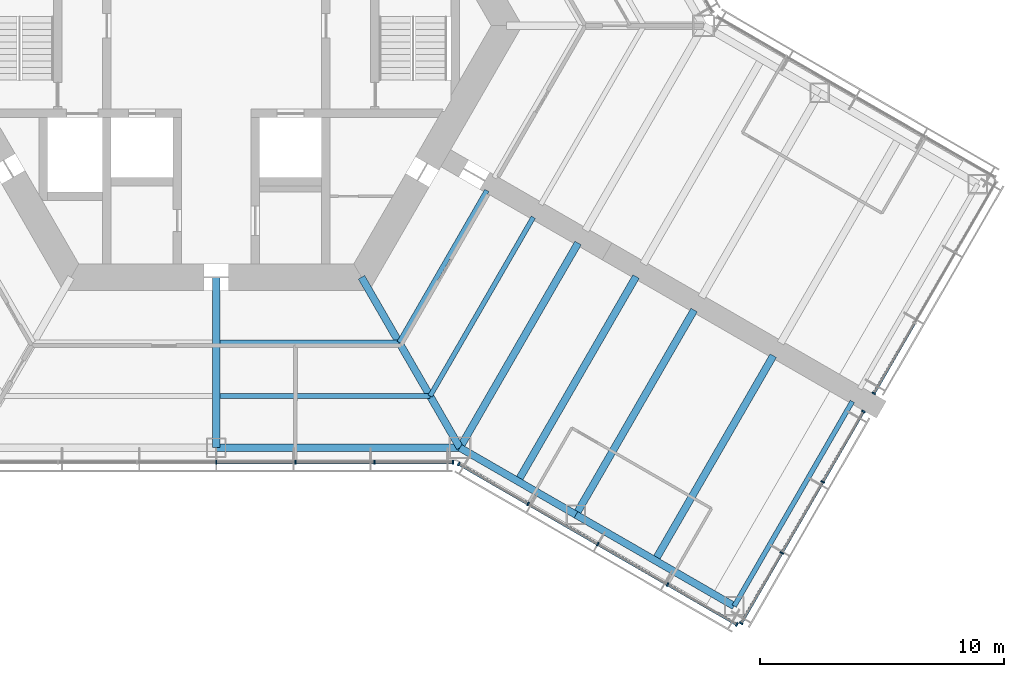
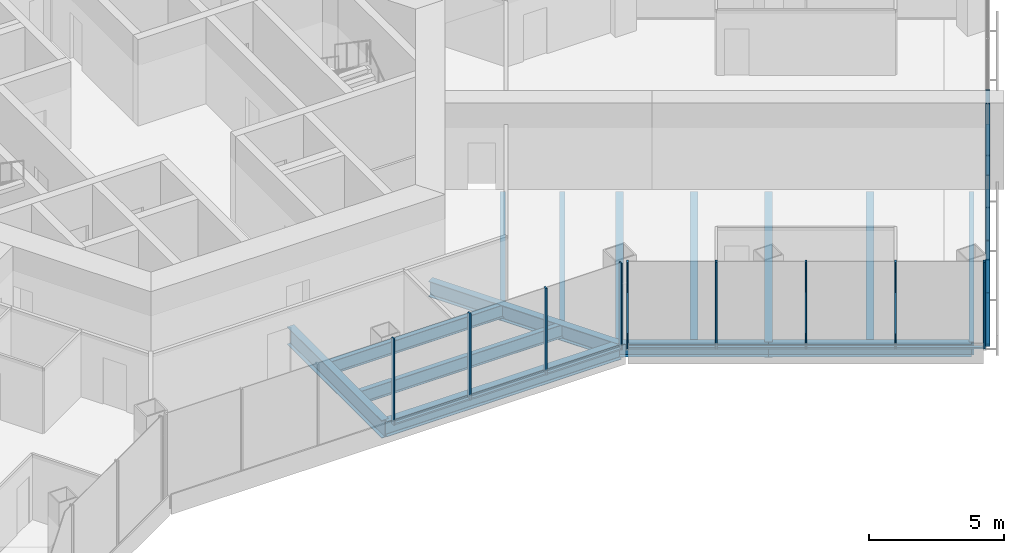
# One storey, part 5 of 18: 25 members, 14 beams, 4 elements without a shape of their own.
"""IFC4 building model written with IfcOpenShell, lengths in metres."""

from ifc_helpers import new_model, si_unit, direction, frame, origin, origin_2d, place, context, subcontext, project, spatial, rectangle, i_section, extrude, material, material_profile, profile_set, type_object, element, aggregate, save


model = new_model("IFC4")

# Units and contexts
model_context = context("Model", 3, precision=1e-05, world=origin(), true_north=direction((0.0, 1.0)))
body_context = subcontext(model_context, "Body", "Model", "MODEL_VIEW")
ifc_project = project(units=[si_unit("LENGTHUNIT", "METRE"), si_unit("AREAUNIT", "SQUARE_METRE"), si_unit("VOLUMEUNIT", "CUBIC_METRE"), si_unit("PLANEANGLEUNIT", "RADIAN"), si_unit("MASSUNIT", "GRAM", prefix="KILO")], contexts=[model_context])

# Site, building, storey
site_placement = place(None, origin())
site = spatial("IfcSite", under=ifc_project, at=site_placement, CompositionType="ELEMENT")
building_placement = place(site_placement, origin())
building = spatial("IfcBuilding", under=site, at=building_placement, Name="Kasaneha Research Tower", CompositionType="ELEMENT")
storey_placement = place(building_placement, frame((0.0, 0.0, 65.10009765625)))
storey = spatial("IfcBuildingStorey", under=building, at=storey_placement, Name="L16", CompositionType="ELEMENT", Elevation=65.10009765625)

# Beams
ifc_material_1 = material(Name="Steel SN490B", Category="steel")
ifc_material_profile_1 = material_profile(ifc_material_1, i_section(OverallWidth=0.199951171875, OverallDepth=0.60009765625, WebThickness=0.010986328125, FlangeThickness=0.01708984375, FilletRadius=0.012939453125, at=origin_2d()), Name="H-600x200x11x17")
ifc_profile_set_1 = profile_set([ifc_material_profile_1], Name="Steel SN490B")
beam_type_1 = type_object("IfcBeamType", Name="B1-3 secondary beam H-600x200x11x17", PredefinedType="JOIST", material=ifc_profile_set_1)
beam_1_placement = place(storey_placement, frame((7.505615234375, -13.0, -0.4501953125), z_axis=(-1.0, 0.0, 0.0), x_axis=(0.0, -1.0, 0.0)))
element("IfcBeam", 1, at=beam_1_placement, inside=storey, type_object=beam_type_1, Name="Secondary beam RS270R1 L16", PredefinedType="JOIST", context=body_context, shape_type="SweptSolid", body=[
    extrude(i_section(OverallWidth=0.199951171875, OverallDepth=0.60009765625, WebThickness=0.010986328125, FlangeThickness=0.01708984375, FilletRadius=0.012939453125, at=origin_2d()), origin(), (0.0, 0.0, 1.0), 7.355712890625),
])
beam_2_placement = place(storey_placement, frame((8.775634765625, -15.199951171875, -0.4501953125), z_axis=(-1.0, 0.0, 0.0), x_axis=(0.0, -1.0, 0.0)))
element("IfcBeam", 2, at=beam_2_placement, inside=storey, type_object=beam_type_1, Name="Secondary beam RS270R2 L16", PredefinedType="JOIST", context=body_context, shape_type="SweptSolid", body=[
    extrude(i_section(OverallWidth=0.199951171875, OverallDepth=0.60009765625, WebThickness=0.010986328125, FlangeThickness=0.01708984375, FilletRadius=0.012939453125, at=origin_2d()), origin(), (0.0, 0.0, 1.0), 8.625732421875),
])
beam_3_placement = place(storey_placement, frame((7.505615234375, -13.0, -0.4501953125), z_axis=(0.499998147991, 0.86602647304, 0.0), x_axis=(-0.86602647304, 0.499998147991, 0.0)))
element("IfcBeam", 3, at=beam_3_placement, inside=storey, type_object=beam_type_1, Name="Secondary beam RS330L1 L16", PredefinedType="JOIST", context=body_context, shape_type="SweptSolid", body=[
    extrude(i_section(OverallWidth=0.199951171875, OverallDepth=0.60009765625, WebThickness=0.010986328125, FlangeThickness=0.01708984375, FilletRadius=0.012939453125, at=origin_2d()), origin(), (0.0, 0.0, 1.0), 7.20556640625),
])
beam_4_placement = place(storey_placement, frame((8.775634765625, -15.199951171875, -0.4501953125), z_axis=(0.500020829043, 0.866013377797, 0.0), x_axis=(-0.866013377797, 0.500020829043, 0.0)))
element("IfcBeam", 4, at=beam_4_placement, inside=storey, type_object=beam_type_1, Name="Secondary beam RS330L2 L16", PredefinedType="JOIST", context=body_context, shape_type="SweptSolid", body=[
    extrude(i_section(OverallWidth=0.199951171875, OverallDepth=0.60009765625, WebThickness=0.010986328125, FlangeThickness=0.01708984375, FilletRadius=0.012939453125, at=origin_2d()), origin(), (0.0, 0.0, 1.0), 8.475830078125),
])
ifc_material_2 = material(Name="Steel SN490B", Category="steel")
ifc_material_profile_2 = material_profile(ifc_material_2, i_section(OverallWidth=0.300048828125, OverallDepth=0.58203125, WebThickness=0.011962890625, FlangeThickness=0.01708984375, FilletRadius=0.012939453125, at=origin_2d()), Name="H-582x300x12x17")
ifc_profile_set_2 = profile_set([ifc_material_profile_2], Name="Steel SN490B")
beam_type_2 = type_object("IfcBeamType", Name="B2-3 secondary beam H-582x300x12x17", PredefinedType="JOIST", material=ifc_profile_set_2)
for number, where, z_axis, x_axis, name in (
    (5, (12.381591796875, -18.695556640625, -0.441162109375), (0.500010041276, 0.866019606374, 0.0), (-0.866019606374, 0.500010041276, 0.0), "Secondary beam WBCP1 L16"),
    (6, (18.0107421875, -21.945556640625, -0.441162109375), (0.500010041276, 0.866019606374, 0.0), (-0.866019606374, 0.500010041276, 0.0), "Secondary beam WBCP2 L16"),
):
    element("IfcBeam", number, at=place(storey_placement, frame(where, z_axis=z_axis, x_axis=x_axis)), inside=storey, type_object=beam_type_2, Name=name, PredefinedType="JOIST", context=body_context, shape_type="SweptSolid", body=[
        extrude(i_section(OverallWidth=0.300048828125, OverallDepth=0.58203125, WebThickness=0.011962890625, FlangeThickness=0.01708984375, FilletRadius=0.012939453125, at=origin_2d()), origin(), (0.0, 0.0, 1.0), 9.699951171875),
    ])

# Curtain wall, members
ifc_material_3 = material(Name="Glass and aluminium", Category="aluminium")
curtain_wall_type = type_object("IfcCurtainWallType", Name="Low-rise office curtain wall", PredefinedType="USERDEFINED", material=ifc_material_3)
curtain_wall_1_placement = place(storey_placement, origin())
curtain_wall_1 = element("IfcCurtainWall", 7, at=curtain_wall_1_placement, inside=storey, type_object=curtain_wall_type, Name="CW-O1 L16 run 02a", ObjectType="UNITISED CURTAIN WALL", PredefinedType="USERDEFINED")
ifc_material_4 = material(Name="Aluminium 6063-T6", Category="aluminium")
ifc_material_profile_3 = material_profile(ifc_material_4, rectangle(XDim=0.06005859375, YDim=0.159912109375, at=origin_2d()), Name="CW-O1 mullion 60x160")
ifc_profile_set_3 = profile_set([ifc_material_profile_3], Name="Aluminium 6063-T6")
member_type_1 = type_object("IfcMemberType", Name="CW-O1 mullion", PredefinedType="MULLION", material=ifc_profile_set_3)
member_1_placement = place(storey_placement, frame((0.0, -17.92041015625, 0.0), z_axis=(0.0, 0.0, 1.0), x_axis=(1.0, 0.0, 0.0)))
member_1 = element("IfcMember", 8, at=member_1_placement, type_object=member_type_1, Name="CW-O1 mullion 4", PredefinedType="MULLION", context=body_context, shape_type="SweptSolid", body=[
    extrude(rectangle(XDim=0.06005859375, YDim=0.159912109375, at=origin_2d()), origin(), (0.0, 0.0, 1.0), 3.89990234375),
])
member_2_placement = place(storey_placement, frame((3.246337890625, -17.92041015625, 0.0), z_axis=(0.0, 0.0, 1.0), x_axis=(1.0, 0.0, 0.0)))
member_2 = element("IfcMember", 9, at=member_2_placement, type_object=member_type_1, Name="CW-O1 mullion 5", PredefinedType="MULLION", context=body_context, shape_type="SweptSolid", body=[
    extrude(rectangle(XDim=0.06005859375, YDim=0.159912109375, at=origin_2d()), origin(), (0.0, 0.0, 1.0), 3.89990234375),
])
member_3_placement = place(storey_placement, frame((6.492919921875, -17.92041015625, 0.0), z_axis=(0.0, 0.0, 1.0), x_axis=(1.0, 0.0, 0.0)))
member_3 = element("IfcMember", 10, at=member_3_placement, type_object=member_type_1, Name="CW-O1 mullion 6", PredefinedType="MULLION", context=body_context, shape_type="SweptSolid", body=[
    extrude(rectangle(XDim=0.06005859375, YDim=0.159912109375, at=origin_2d()), origin(), (0.0, 0.0, 1.0), 3.89990234375),
])
member_4_placement = place(storey_placement, frame((9.709228515625, -17.92041015625, 0.0), z_axis=(0.0, 0.0, 1.0), x_axis=(1.0, 0.0, 0.0)))
member_4 = element("IfcMember", 11, at=member_4_placement, type_object=member_type_1, Name="CW-O1 mullion 7", PredefinedType="MULLION", context=body_context, shape_type="SweptSolid", body=[
    extrude(rectangle(XDim=0.06005859375, YDim=0.159912109375, at=origin_2d()), origin(), (0.0, 0.0, 1.0), 3.89990234375),
])

curtain_wall_2_placement = place(storey_placement, origin())
curtain_wall_2 = element("IfcCurtainWall", 12, at=curtain_wall_2_placement, inside=storey, type_object=curtain_wall_type, Name="CW-O1 L16 run 03a", ObjectType="UNITISED CURTAIN WALL", PredefinedType="USERDEFINED")
member_5_placement = place(storey_placement, frame((9.951904296875, -17.985595703125, 0.0), z_axis=(0.0, 0.0, 1.0), x_axis=(0.866025411464, -0.499999986699, 0.0)))
member_5 = element("IfcMember", 13, at=member_5_placement, type_object=member_type_1, Name="CW-O1 mullion 1", PredefinedType="MULLION", context=body_context, shape_type="SweptSolid", body=[
    extrude(rectangle(XDim=0.06005859375, YDim=0.159912109375, at=origin_2d()), origin(), (0.0, 0.0, 1.0), 3.89990234375),
])
member_6_placement = place(storey_placement, frame((12.792236328125, -19.62548828125, 0.0), z_axis=(0.0, 0.0, 1.0), x_axis=(0.866025411464, -0.499999986699, 0.0)))
member_6 = element("IfcMember", 14, at=member_6_placement, type_object=member_type_1, Name="CW-O1 mullion 2", PredefinedType="MULLION", context=body_context, shape_type="SweptSolid", body=[
    extrude(rectangle(XDim=0.06005859375, YDim=0.159912109375, at=origin_2d()), origin(), (0.0, 0.0, 1.0), 3.89990234375),
])
member_7_placement = place(storey_placement, frame((15.65869140625, -21.2802734375, 0.0), z_axis=(0.0, 0.0, 1.0), x_axis=(0.866025411464, -0.499999986699, 0.0)))
member_7 = element("IfcMember", 15, at=member_7_placement, type_object=member_type_1, Name="CW-O1 mullion 3", PredefinedType="MULLION", context=body_context, shape_type="SweptSolid", body=[
    extrude(rectangle(XDim=0.06005859375, YDim=0.159912109375, at=origin_2d()), origin(), (0.0, 0.0, 1.0), 3.89990234375),
])
member_8_placement = place(storey_placement, frame((18.52490234375, -22.935302734375, 0.0), z_axis=(0.0, 0.0, 1.0), x_axis=(0.866025411464, -0.499999986699, 0.0)))
member_8 = element("IfcMember", 16, at=member_8_placement, type_object=member_type_1, Name="CW-O1 mullion 4", PredefinedType="MULLION", context=body_context, shape_type="SweptSolid", body=[
    extrude(rectangle(XDim=0.06005859375, YDim=0.159912109375, at=origin_2d()), origin(), (0.0, 0.0, 1.0), 3.89990234375),
])
member_9_placement = place(storey_placement, frame((21.365478515625, -24.5751953125, 0.0), z_axis=(0.0, 0.0, 1.0), x_axis=(0.866025411464, -0.499999986699, 0.0)))
member_9 = element("IfcMember", 17, at=member_9_placement, type_object=member_type_1, Name="CW-O1 mullion 5", PredefinedType="MULLION", context=body_context, shape_type="SweptSolid", body=[
    extrude(rectangle(XDim=0.06005859375, YDim=0.159912109375, at=origin_2d()), origin(), (0.0, 0.0, 1.0), 3.89990234375),
])

curtain_wall_3_placement = place(storey_placement, origin())
curtain_wall_3 = element("IfcCurtainWall", 18, at=curtain_wall_3_placement, inside=storey, type_object=curtain_wall_type, Name="CW-O1 L16 run 04a", ObjectType="UNITISED CURTAIN WALL", PredefinedType="USERDEFINED")
member_10_placement = place(storey_placement, frame((21.54296875, -24.527587890625, 0.0), z_axis=(0.0, 0.0, 1.0), x_axis=(0.500000011442, 0.866025397178, 0.0)))
member_10 = element("IfcMember", 19, at=member_10_placement, type_object=member_type_1, Name="CW-O1 mullion 1", PredefinedType="MULLION", context=body_context, shape_type="SweptSolid", body=[
    extrude(rectangle(XDim=0.06005859375, YDim=0.159912109375, at=origin_2d()), origin(), (0.0, 0.0, 1.0), 3.89990234375),
])
member_11_placement = place(storey_placement, frame((23.211181640625, -21.637939453125, 0.0), z_axis=(0.0, 0.0, 1.0), x_axis=(0.500000011442, 0.866025397178, 0.0)))
member_11 = element("IfcMember", 20, at=member_11_placement, type_object=member_type_1, Name="CW-O1 mullion 2", PredefinedType="MULLION", context=body_context, shape_type="SweptSolid", body=[
    extrude(rectangle(XDim=0.06005859375, YDim=0.159912109375, at=origin_2d()), origin(), (0.0, 0.0, 1.0), 3.89990234375),
])
member_12_placement = place(storey_placement, frame((24.89453125, -18.72216796875, 0.0), z_axis=(0.0, 0.0, 1.0), x_axis=(0.500000011442, 0.866025397178, 0.0)))
member_12 = element("IfcMember", 21, at=member_12_placement, type_object=member_type_1, Name="CW-O1 mullion 3", PredefinedType="MULLION", context=body_context, shape_type="SweptSolid", body=[
    extrude(rectangle(XDim=0.06005859375, YDim=0.159912109375, at=origin_2d()), origin(), (0.0, 0.0, 1.0), 3.89990234375),
])
member_13_placement = place(storey_placement, frame((26.56298828125, -15.832763671875, 0.0), z_axis=(0.0, 0.0, 1.0), x_axis=(0.500000011442, 0.866025397178, 0.0)))
member_13 = element("IfcMember", 22, at=member_13_placement, type_object=member_type_1, Name="CW-O1 mullion 4", PredefinedType="MULLION", context=body_context, shape_type="SweptSolid", body=[
    extrude(rectangle(XDim=0.06005859375, YDim=0.159912109375, at=origin_2d()), origin(), (0.0, 0.0, 1.0), 3.89990234375),
])

# Curtain wall, member
curtain_wall_4_placement = place(storey_placement, origin())
curtain_wall_4 = element("IfcCurtainWall", 23, at=curtain_wall_4_placement, inside=storey, type_object=curtain_wall_type, Name="CW-O1 L16 run 05a", ObjectType="UNITISED CURTAIN WALL", PredefinedType="USERDEFINED")
member_14_placement = place(storey_placement, frame((26.992919921875, -15.087890625, 0.0), z_axis=(0.0, 0.0, 1.0), x_axis=(0.500000011442, 0.866025397178, 0.0)))
member_14 = element("IfcMember", 24, at=member_14_placement, type_object=member_type_1, Name="CW-O1 mullion 1", PredefinedType="MULLION", context=body_context, shape_type="SweptSolid", body=[
    extrude(rectangle(XDim=0.06005859375, YDim=0.159912109375, at=origin_2d()), origin(), (0.0, 0.0, 1.0), 3.89990234375),
])

# Member
ifc_material_5 = material(Name="Aluminium 6063-T6", Category="aluminium")
ifc_material_profile_4 = material_profile(ifc_material_5, rectangle(XDim=0.1201171875, YDim=0.06005859375, at=origin_2d()), Name="CW-O1 transom 120x60")
ifc_profile_set_4 = profile_set([ifc_material_profile_4], Name="Aluminium 6063-T6")
member_type_2 = type_object("IfcMemberType", Name="CW-O1 transom", PredefinedType="USERDEFINED", material=ifc_profile_set_4)
member_15_placement = place(storey_placement, frame((0.030029296875, -17.92041015625, 0.02978515625), z_axis=(1.0, 0.0, 0.0), x_axis=(0.0, 1.0, 0.0)))
member_15 = element("IfcMember", 25, at=member_15_placement, type_object=member_type_2, Name="CW-O1 transom 4", ObjectType="TRANSOM", PredefinedType="USERDEFINED", context=body_context, shape_type="SweptSolid", body=[
    extrude(rectangle(XDim=0.1201171875, YDim=0.06005859375, at=origin_2d()), origin(), (0.0, 0.0, 1.0), 3.186279296875),
])

member_16_placement = place(storey_placement, frame((3.2763671875, -17.92041015625, 0.02978515625), z_axis=(1.0, 0.0, 0.0), x_axis=(0.0, 1.0, 0.0)))
member_16 = element("IfcMember", 26, at=member_16_placement, type_object=member_type_2, Name="CW-O1 transom 5", ObjectType="TRANSOM", PredefinedType="USERDEFINED", context=body_context, shape_type="SweptSolid", body=[
    extrude(rectangle(XDim=0.1201171875, YDim=0.06005859375, at=origin_2d()), origin(), (0.0, 0.0, 1.0), 3.1865234375),
])

member_17_placement = place(storey_placement, frame((6.522705078125, -17.92041015625, 0.02978515625), z_axis=(1.0, 0.0, 0.0), x_axis=(0.0, 1.0, 0.0)))
member_17 = element("IfcMember", 27, at=member_17_placement, type_object=member_type_2, Name="CW-O1 transom 6", ObjectType="TRANSOM", PredefinedType="USERDEFINED", context=body_context, shape_type="SweptSolid", body=[
    extrude(rectangle(XDim=0.1201171875, YDim=0.06005859375, at=origin_2d()), origin(), (0.0, 0.0, 1.0), 3.156494140625),
])

aggregate(curtain_wall_1, [member_1, member_2, member_3, member_4, member_15, member_16, member_17])

member_18_placement = place(storey_placement, frame((9.977783203125, -18.00048828125, 0.02978515625), z_axis=(0.866022692473, -0.500004696101, 0.0), x_axis=(0.500004696101, 0.866022692473, 0.0)))
member_18 = element("IfcMember", 28, at=member_18_placement, type_object=member_type_2, Name="CW-O1 transom 1", ObjectType="TRANSOM", PredefinedType="USERDEFINED", context=body_context, shape_type="SweptSolid", body=[
    extrude(rectangle(XDim=0.1201171875, YDim=0.06005859375, at=origin_2d()), origin(), (0.0, 0.0, 1.0), 3.2197265625),
])

member_19_placement = place(storey_placement, frame((12.818115234375, -19.640380859375, 0.02978515625), z_axis=(0.866015446554, -0.500017246033, 0.0), x_axis=(0.500017246033, 0.866015446554, 0.0)))
member_19 = element("IfcMember", 29, at=member_19_placement, type_object=member_type_2, Name="CW-O1 transom 2", ObjectType="TRANSOM", PredefinedType="USERDEFINED", context=body_context, shape_type="SweptSolid", body=[
    extrude(rectangle(XDim=0.1201171875, YDim=0.06005859375, at=origin_2d()), origin(), (0.0, 0.0, 1.0), 3.25),
])

member_20_placement = place(storey_placement, frame((15.6845703125, -21.29541015625, 0.02978515625), z_axis=(0.86604797581, -0.499960902066, 0.0), x_axis=(0.499960902066, 0.86604797581, 0.0)))
member_20 = element("IfcMember", 30, at=member_20_placement, type_object=member_type_2, Name="CW-O1 transom 3", ObjectType="TRANSOM", PredefinedType="USERDEFINED", context=body_context, shape_type="SweptSolid", body=[
    extrude(rectangle(XDim=0.1201171875, YDim=0.06005859375, at=origin_2d()), origin(), (0.0, 0.0, 1.0), 3.249755859375),
])

member_21_placement = place(storey_placement, frame((18.551025390625, -22.9501953125, 0.02978515625), z_axis=(0.866022692473, -0.500004696101, 0.0), x_axis=(0.500004696101, 0.866022692473, 0.0)))
member_21 = element("IfcMember", 31, at=member_21_placement, type_object=member_type_2, Name="CW-O1 transom 4", ObjectType="TRANSOM", PredefinedType="USERDEFINED", context=body_context, shape_type="SweptSolid", body=[
    extrude(rectangle(XDim=0.1201171875, YDim=0.06005859375, at=origin_2d()), origin(), (0.0, 0.0, 1.0), 3.2197265625),
])

aggregate(curtain_wall_2, [member_5, member_6, member_7, member_8, member_9, member_18, member_19, member_20, member_21])

member_22_placement = place(storey_placement, frame((21.557861328125, -24.50146484375, 0.02978515625), z_axis=(0.500025583411, 0.866010632691, 0.0), x_axis=(-0.866010632691, 0.500025583411, 0.0)))
member_22 = element("IfcMember", 32, at=member_22_placement, type_object=member_type_2, Name="CW-O1 transom 1", ObjectType="TRANSOM", PredefinedType="USERDEFINED", context=body_context, shape_type="SweptSolid", body=[
    extrude(rectangle(XDim=0.1201171875, YDim=0.06005859375, at=origin_2d()), origin(), (0.0, 0.0, 1.0), 3.276611328125),
])

member_23_placement = place(storey_placement, frame((23.226318359375, -21.61181640625, 0.02978515625), z_axis=(0.500014325468, 0.866017132814, 0.0), x_axis=(-0.866017132814, 0.500014325468, 0.0)))
member_23 = element("IfcMember", 33, at=member_23_placement, type_object=member_type_2, Name="CW-O1 transom 2", ObjectType="TRANSOM", PredefinedType="USERDEFINED", context=body_context, shape_type="SweptSolid", body=[
    extrude(rectangle(XDim=0.1201171875, YDim=0.06005859375, at=origin_2d()), origin(), (0.0, 0.0, 1.0), 3.306640625),
])

member_24_placement = place(storey_placement, frame((24.90966796875, -18.6962890625, 0.02978515625), z_axis=(0.499969700927, 0.866042896256, 0.0), x_axis=(-0.866042896256, 0.499969700927, 0.0)))
member_24 = element("IfcMember", 34, at=member_24_placement, type_object=member_type_2, Name="CW-O1 transom 3", ObjectType="TRANSOM", PredefinedType="USERDEFINED", context=body_context, shape_type="SweptSolid", body=[
    extrude(rectangle(XDim=0.1201171875, YDim=0.06005859375, at=origin_2d()), origin(), (0.0, 0.0, 1.0), 3.276611328125),
])

aggregate(curtain_wall_3, [member_10, member_11, member_12, member_13, member_22, member_23, member_24])

member_25_placement = place(storey_placement, frame((27.008056640625, -15.061767578125, 0.02978515625), z_axis=(0.499969700927, 0.866042896256, 0.0), x_axis=(-0.866042896256, 0.499969700927, 0.0)))
member_25 = element("IfcMember", 35, at=member_25_placement, type_object=member_type_2, Name="CW-O1 transom 1", ObjectType="TRANSOM", PredefinedType="USERDEFINED", context=body_context, shape_type="SweptSolid", body=[
    extrude(rectangle(XDim=0.1201171875, YDim=0.06005859375, at=origin_2d()), origin(), (0.0, 0.0, 1.0), 3.276611328125),
])

aggregate(curtain_wall_4, [member_14, member_25])

# Beams
ifc_material_6 = material(Name="Steel SN490B", Category="steel")
ifc_material_profile_5 = material_profile(ifc_material_6, i_section(OverallWidth=0.300048828125, OverallDepth=0.699951171875, WebThickness=0.012939453125, FlangeThickness=0.02392578125, FilletRadius=0.01806640625, at=origin_2d()), Name="H-700x300x13x24")
ifc_profile_set_5 = profile_set([ifc_material_profile_5], Name="Steel SN490B")
beam_type_3 = type_object("IfcBeamType", Name="G1-3 radial girder H-700x300x13x24", PredefinedType="BEAM", material=ifc_profile_set_5)
beam_5_placement = place(storey_placement, frame((5.961181640625, -10.324951171875, -0.5), z_axis=(0.49999105496, -0.866030568144, 0.0), x_axis=(0.866030568144, 0.49999105496, 0.0)))
element("IfcBeam", 36, at=beam_5_placement, inside=storey, type_object=beam_type_3, Name="Radial girder RV300 L16", PredefinedType="BEAM", context=body_context, shape_type="SweptSolid", body=[
    extrude(i_section(OverallWidth=0.300048828125, OverallDepth=0.699951171875, WebThickness=0.012939453125, FlangeThickness=0.02392578125, FilletRadius=0.01806640625, at=origin_2d()), origin(), (0.0, 0.0, 1.0), 8.077880859375),
])
ifc_material_7 = material(Name="Steel SN490B", Category="steel")
ifc_material_profile_6 = material_profile(ifc_material_7, i_section(OverallWidth=0.300048828125, OverallDepth=0.800048828125, WebThickness=0.013916015625, FlangeThickness=0.02587890625, FilletRadius=0.01806640625, at=origin_2d()), Name="H-800x300x14x26")
ifc_profile_set_6 = profile_set([ifc_material_profile_6], Name="Steel SN490B")
beam_type_4 = type_object("IfcBeamType", Name="G2-3 radial girder H-800x300x14x26", PredefinedType="BEAM", material=ifc_profile_set_6)
beam_6_placement = place(storey_placement, frame((0.0, -10.324951171875, -0.550048828125), z_axis=(0.0, -1.0, 0.0), x_axis=(1.0, 0.0, 0.0)))
element("IfcBeam", 37, at=beam_6_placement, inside=storey, type_object=beam_type_4, Name="Radial girder RM270 L16", PredefinedType="BEAM", context=body_context, shape_type="SweptSolid", body=[
    extrude(i_section(OverallWidth=0.300048828125, OverallDepth=0.800048828125, WebThickness=0.013916015625, FlangeThickness=0.02587890625, FilletRadius=0.01806640625, at=origin_2d()), origin(), (0.0, 0.0, 1.0), 6.99560546875),
])
ifc_material_8 = material(Name="Steel SN490B", Category="steel")
ifc_material_profile_7 = material_profile(ifc_material_8, i_section(OverallWidth=0.300048828125, OverallDepth=0.69189453125, WebThickness=0.012939453125, FlangeThickness=0.02001953125, FilletRadius=0.01806640625, at=origin_2d()), Name="H-692x300x13x20")
ifc_profile_set_7 = profile_set([ifc_material_profile_7], Name="Steel SN490B")
beam_type_5 = type_object("IfcBeamType", Name="G3-3 plate edge girder H-692x300x13x20", PredefinedType="BEAM", material=ifc_profile_set_7)
beam_7_placement = place(storey_placement, frame((10.0, -17.320556640625, -0.49609375), z_axis=(0.500010041276, 0.866019606374, 0.0), x_axis=(-0.866019606374, 0.500010041276, 0.0)))
element("IfcBeam", 38, at=beam_7_placement, inside=storey, type_object=beam_type_5, Name="Plate edge girder PECP L16", PredefinedType="BEAM", context=body_context, shape_type="SweptSolid", body=[
    extrude(i_section(OverallWidth=0.300048828125, OverallDepth=0.69189453125, WebThickness=0.012939453125, FlangeThickness=0.02001953125, FilletRadius=0.01806640625, at=origin_2d()), origin(), (0.0, 0.0, 1.0), 9.699951171875),
])
ifc_material_9 = material(Name="Steel SN490B", Category="steel")
ifc_material_profile_8 = material_profile(ifc_material_9, i_section(OverallWidth=0.300048828125, OverallDepth=0.699951171875, WebThickness=0.012939453125, FlangeThickness=0.02392578125, FilletRadius=0.01806640625, at=origin_2d()), Name="H-700x300x13x24")
ifc_profile_set_8 = profile_set([ifc_material_profile_8], Name="Steel SN490B")
beam_type_6 = type_object("IfcBeamType", Name="G4-3 wing girder H-700x300x13x24", PredefinedType="BEAM", material=ifc_profile_set_8)
beam_8_placement = place(storey_placement, frame((14.76318359375, -20.070556640625, -0.5), z_axis=(0.499991164321, 0.866030505006, 0.0), x_axis=(-0.866030505006, 0.499991164321, 0.0)))
element("IfcBeam", 39, at=beam_8_placement, inside=storey, type_object=beam_type_6, Name="Wing girder WGCP L16", PredefinedType="BEAM", context=body_context, shape_type="SweptSolid", body=[
    extrude(i_section(OverallWidth=0.300048828125, OverallDepth=0.699951171875, WebThickness=0.012939453125, FlangeThickness=0.02392578125, FilletRadius=0.01806640625, at=origin_2d()), origin(), (0.0, 0.0, 1.0), 9.699951171875),
])
ifc_material_10 = material(Name="Steel SN490B", Category="steel")
ifc_material_profile_9 = material_profile(ifc_material_10, i_section(OverallWidth=0.300048828125, OverallDepth=0.69189453125, WebThickness=0.012939453125, FlangeThickness=0.02001953125, FilletRadius=0.01806640625, at=origin_2d()), Name="H-692x300x13x20")
ifc_profile_set_9 = profile_set([ifc_material_profile_9], Name="Steel SN490B")
beam_type_7 = type_object("IfcBeamType", Name="SB1-3 spandrel beam H-692x300x13x20", PredefinedType="SPANDREL", material=ifc_profile_set_9)
beam_9_placement = place(storey_placement, frame((10.0, -17.320556640625, -0.49609375), z_axis=(-1.0, 0.0, 0.0), x_axis=(0.0, -1.0, 0.0)))
element("IfcBeam", 40, at=beam_9_placement, inside=storey, type_object=beam_type_7, Name="Spandrel beam SR270R L16", PredefinedType="SPANDREL", context=body_context, shape_type="SweptSolid", body=[
    extrude(i_section(OverallWidth=0.300048828125, OverallDepth=0.69189453125, WebThickness=0.012939453125, FlangeThickness=0.02001953125, FilletRadius=0.01806640625, at=origin_2d()), origin(), (0.0, 0.0, 1.0), 10.0),
])
ifc_material_11 = material(Name="Steel SN490B", Category="steel")
ifc_material_profile_10 = material_profile(ifc_material_11, i_section(OverallWidth=0.300048828125, OverallDepth=0.58203125, WebThickness=0.011962890625, FlangeThickness=0.01708984375, FilletRadius=0.012939453125, at=origin_2d()), Name="H-582x300x12x17")
ifc_profile_set_10 = profile_set([ifc_material_profile_10], Name="Steel SN490B")
beam_type_8 = type_object("IfcBeamType", Name="SB2-3 spandrel beam H-582x300x12x17", PredefinedType="SPANDREL", material=ifc_profile_set_10)
beam_10_placement = place(storey_placement, frame((10.0, -17.320556640625, -0.441162109375), z_axis=(0.866027397988, -0.499996545922, 0.0), x_axis=(0.499996545922, 0.866027397988, 0.0)))
element("IfcBeam", 41, at=beam_10_placement, inside=storey, type_object=beam_type_8, Name="Spandrel beam WSCP1 L16", PredefinedType="SPANDREL", context=body_context, shape_type="SweptSolid", body=[
    extrude(i_section(OverallWidth=0.300048828125, OverallDepth=0.58203125, WebThickness=0.011962890625, FlangeThickness=0.01708984375, FilletRadius=0.012939453125, at=origin_2d()), origin(), (0.0, 0.0, 1.0), 5.5),
])
beam_11_placement = place(storey_placement, frame((14.76318359375, -20.070556640625, -0.441162109375), z_axis=(0.866022959057, -0.500004234368, 0.0), x_axis=(0.500004234368, 0.866022959057, 0.0)))
element("IfcBeam", 42, at=beam_11_placement, inside=storey, type_object=beam_type_8, Name="Spandrel beam WSCP2 L16", PredefinedType="SPANDREL", context=body_context, shape_type="SweptSolid", body=[
    extrude(i_section(OverallWidth=0.300048828125, OverallDepth=0.58203125, WebThickness=0.011962890625, FlangeThickness=0.01708984375, FilletRadius=0.012939453125, at=origin_2d()), origin(), (0.0, 0.0, 1.0), 7.5),
])
ifc_material_12 = material(Name="Steel SN490B", Category="steel")
ifc_material_profile_11 = material_profile(ifc_material_12, i_section(OverallWidth=0.199951171875, OverallDepth=0.60009765625, WebThickness=0.010986328125, FlangeThickness=0.01708984375, FilletRadius=0.012939453125, at=origin_2d()), Name="H-600x200x11x17")
ifc_profile_set_11 = profile_set([ifc_material_profile_11], Name="Steel SN490B")
beam_type_9 = type_object("IfcBeamType", Name="SB3-3 spandrel beam H-600x200x11x17", PredefinedType="SPANDREL", material=ifc_profile_set_11)
beam_12_placement = place(storey_placement, frame((21.25830078125, -23.820556640625, -0.4501953125), z_axis=(0.500010041276, 0.866019606374, 0.0), x_axis=(-0.866019606374, 0.500010041276, 0.0)))
element("IfcBeam", 43, at=beam_12_placement, inside=storey, type_object=beam_type_9, Name="Spandrel beam WTCP L16", PredefinedType="SPANDREL", context=body_context, shape_type="SweptSolid", body=[
    extrude(i_section(OverallWidth=0.199951171875, OverallDepth=0.60009765625, WebThickness=0.010986328125, FlangeThickness=0.01708984375, FilletRadius=0.012939453125, at=origin_2d()), origin(), (0.0, 0.0, 1.0), 9.699951171875),
])

save(model, "model.ifc")
